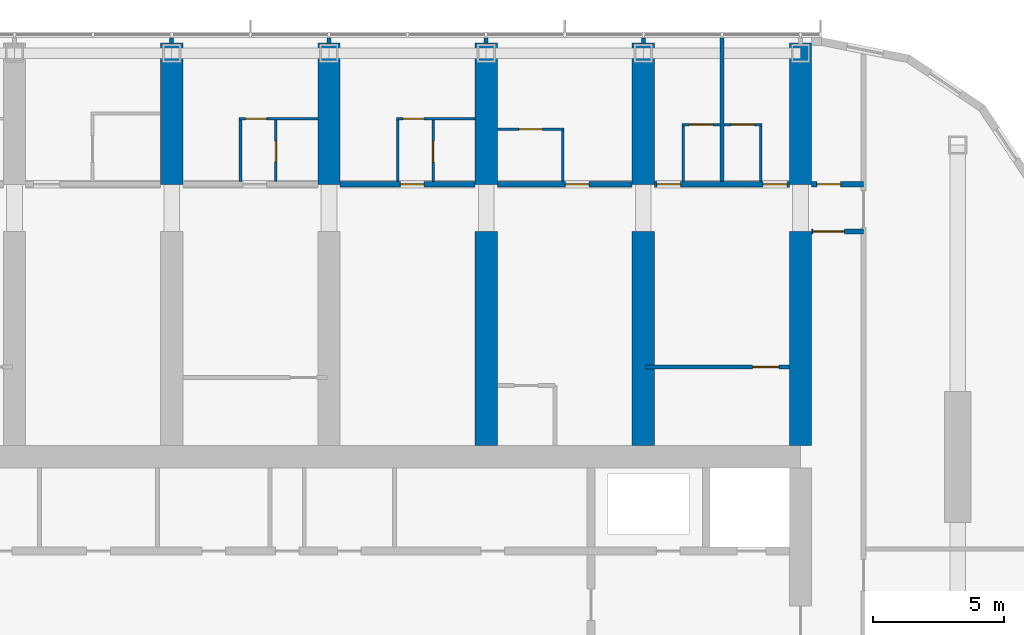
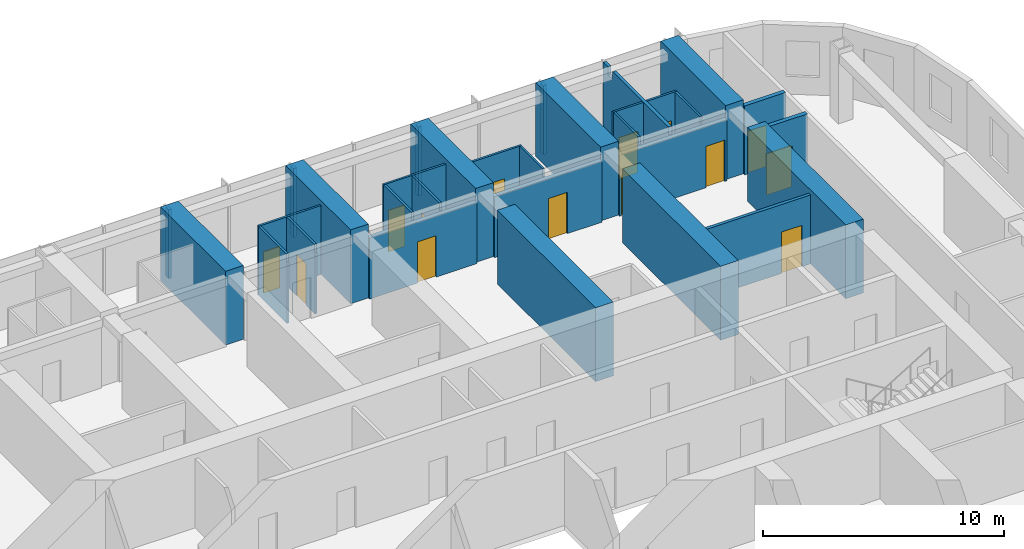
# One storey, part 16 of 22: 31 walls, 14 doors, 14 openings.
"""IFC4 building model written with IfcOpenShell, lengths in metres."""

from ifc_helpers import new_model, si_unit, direction, frame, frame_2d, origin, place, context, subcontext, project, spatial, polyline, rectangle, outline, extrude, material, layer, layer_set, type_object, element, fill, save


model = new_model("IFC4")

# Units and contexts
model_context = context("Model", 3, precision=1e-05, world=origin(), true_north=direction((0.0, 1.0)))
body_context = subcontext(model_context, "Body", "Model", "MODEL_VIEW")
ifc_project = project(units=[si_unit("LENGTHUNIT", "METRE"), si_unit("AREAUNIT", "SQUARE_METRE"), si_unit("VOLUMEUNIT", "CUBIC_METRE"), si_unit("PLANEANGLEUNIT", "RADIAN"), si_unit("MASSUNIT", "GRAM", prefix="KILO")], contexts=[model_context])

# Site, building, storey
site_placement = place(None, origin())
site = spatial("IfcSite", under=ifc_project, at=site_placement, CompositionType="ELEMENT")
building_placement = place(site_placement, origin())
building = spatial("IfcBuilding", under=site, at=building_placement, Name="Orbita Commons", CompositionType="ELEMENT")
storey_placement = place(building_placement, frame((0.0, 0.0, 156.10009765625)))
storey = spatial("IfcBuildingStorey", under=building, at=storey_placement, Name="L38", CompositionType="ELEMENT", Elevation=156.10009765625)

# Wall, opening, door
ifc_material_1 = material(Name="Concrete blockwork", Category="masonry")
ifc_layer_1 = layer(ifc_material_1, 0.199951171875)
ifc_layer_set_1 = layer_set([ifc_layer_1], Name="Concrete blockwork")
wall_type_1 = type_object("IfcWallType", Name="Corridor wall 200 blockwork", PredefinedType="SOLIDWALL", material=ifc_layer_set_1)
wall_1_placement = place(storey_placement, frame((48.425048828125, 48.60009765625, 0.0), z_axis=(0.0, 0.0, 1.0), x_axis=(1.0, 0.0, 0.0)))
wall_1 = element("IfcWall", 1, at=wall_1_placement, inside=storey, type_object=wall_type_1, Name="Corridor wall 200 blockwork L38", PredefinedType="SOLIDWALL", context=body_context, shape_type="SweptSolid", body=[
    extrude(outline(polyline([(0.0, 0.0), (5.14990234375, 0.0), (5.14990234375, 3.099853515625), (0.0, 3.099853515625), (0.0, 0.0)])), frame((0.0, 0.10009765625, 0.0), z_axis=(0.0, -1.0, 0.0), x_axis=(1.0, 0.0, 0.0)), (0.0, 0.0, 1.0), 0.199951171875),
])
opening_1_placement = place(wall_1_placement, frame((2.300048828125, 0.0, 0.0)))
opening_1 = element("IfcOpeningElement", 2, at=opening_1_placement, cuts=wall_1, Name="Opening D11", PredefinedType="OPENING", context=body_context, shape_type="SweptSolid", body=[
    extrude(rectangle(XDim=0.89990234375, YDim=2.10009765625, at=frame_2d((0.449951171875, 1.050048828125))), frame((0.0, 0.10986328125, 0.0), z_axis=(0.0, -1.0, 0.0), x_axis=(1.0, 0.0, 0.0)), (0.0, 0.0, 1.0), 0.219970703125),
])
ifc_material_2 = material(Name="Steel-faced fire door leaf", Category="steel")
door_type_1 = type_object("IfcDoorType", Name="Corridor door 20 min 900x2100", OperationType="SINGLE_SWING_LEFT", PredefinedType="DOOR", material=ifc_material_2)
door_1_placement = place(opening_1_placement, origin())
door_1 = element("IfcDoor", 3, at=door_1_placement, inside=storey, type_object=door_type_1, Name="Studio flat L38-N10 entrance door", OperationType="SINGLE_SWING_LEFT", OverallHeight=2.10009765625, OverallWidth=0.89990234375, PredefinedType="DOOR", context=body_context, shape_type="SweptSolid", body=[
    extrude(rectangle(XDim=0.89990234375, YDim=2.10009765625, at=frame_2d((0.449951171875, 1.050048828125))), frame((0.0, 0.02490234375, 0.0), z_axis=(0.0, -1.0, 0.0), x_axis=(1.0, 0.0, 0.0)), (0.0, 0.0, 1.0), 0.050048828125),
])
fill(opening_1, door_1)

wall_2_placement = place(storey_placement, frame((54.425048828125, 48.60009765625, 0.0), z_axis=(0.0, 0.0, 1.0), x_axis=(1.0, 0.0, 0.0)))
wall_2 = element("IfcWall", 4, at=wall_2_placement, inside=storey, type_object=wall_type_1, Name="Corridor wall 200 blockwork L38", PredefinedType="SOLIDWALL", context=body_context, shape_type="SweptSolid", body=[
    extrude(outline(polyline([(0.0, 0.0), (5.14990234375, 0.0), (5.14990234375, 3.099853515625), (0.0, 3.099853515625), (0.0, 0.0)])), frame((0.0, 0.10009765625, 0.0), z_axis=(0.0, -1.0, 0.0), x_axis=(1.0, 0.0, 0.0)), (0.0, 0.0, 1.0), 0.199951171875),
])
opening_2_placement = place(wall_2_placement, frame((2.60009765625, 0.0, 0.0)))
opening_2 = element("IfcOpeningElement", 5, at=opening_2_placement, cuts=wall_2, Name="Opening D11", PredefinedType="OPENING", context=body_context, shape_type="SweptSolid", body=[
    extrude(rectangle(XDim=0.89990234375, YDim=2.10009765625, at=frame_2d((0.449951171875, 1.050048828125))), frame((0.0, 0.10986328125, 0.0), z_axis=(0.0, -1.0, 0.0), x_axis=(1.0, 0.0, 0.0)), (0.0, 0.0, 1.0), 0.219970703125),
])
door_2_placement = place(opening_2_placement, origin())
door_2 = element("IfcDoor", 6, at=door_2_placement, inside=storey, type_object=door_type_1, Name="Twin room L38-N12 door", OperationType="SINGLE_SWING_LEFT", OverallHeight=2.10009765625, OverallWidth=0.89990234375, PredefinedType="DOOR", context=body_context, shape_type="SweptSolid", body=[
    extrude(rectangle(XDim=0.89990234375, YDim=2.10009765625, at=frame_2d((0.449951171875, 1.050048828125))), frame((0.0, 0.02490234375, 0.0), z_axis=(0.0, -1.0, 0.0), x_axis=(1.0, 0.0, 0.0)), (0.0, 0.0, 1.0), 0.050048828125),
])
fill(opening_2, door_2)

# Wall, openings, doors
wall_3_placement = place(storey_placement, frame((60.425048828125, 48.60009765625, 0.0), z_axis=(0.0, 0.0, 1.0), x_axis=(1.0, 0.0, 0.0)))
wall_3 = element("IfcWall", 7, at=wall_3_placement, inside=storey, type_object=wall_type_1, Name="Corridor wall 200 blockwork L38", PredefinedType="SOLIDWALL", context=body_context, shape_type="SweptSolid", body=[
    extrude(outline(polyline([(0.0, 0.0), (5.14990234375, 0.0), (5.14990234375, 3.099853515625), (0.0, 3.099853515625), (0.0, 0.0)])), frame((0.0, 0.10009765625, 0.0), z_axis=(0.0, -1.0, 0.0), x_axis=(1.0, 0.0, 0.0)), (0.0, 0.0, 1.0), 0.199951171875),
])
opening_3_placement = place(wall_3_placement, frame((0.10009765625, 0.0, 0.0)))
opening_3 = element("IfcOpeningElement", 8, at=opening_3_placement, cuts=wall_3, Name="Opening D11", PredefinedType="OPENING", context=body_context, shape_type="SweptSolid", body=[
    extrude(rectangle(XDim=0.89990234375, YDim=2.10009765625, at=frame_2d((0.449951171875, 1.050048828125))), frame((0.0, 0.10986328125, 0.0), z_axis=(0.0, -1.0, 0.0), x_axis=(1.0, 0.0, 0.0)), (0.0, 0.0, 1.0), 0.219970703125),
])
opening_4_placement = place(wall_3_placement, frame((4.14990234375, 0.0, 0.0)))
opening_4 = element("IfcOpeningElement", 9, at=opening_4_placement, cuts=wall_3, Name="Opening D11", PredefinedType="OPENING", context=body_context, shape_type="SweptSolid", body=[
    extrude(rectangle(XDim=0.89990234375, YDim=2.10009765625, at=frame_2d((0.449951171875, 1.050048828125))), frame((0.0, 0.10986328125, 0.0), z_axis=(0.0, -1.0, 0.0), x_axis=(1.0, 0.0, 0.0)), (0.0, 0.0, 1.0), 0.219970703125),
])
door_3_placement = place(opening_3_placement, origin())
door_3 = element("IfcDoor", 10, at=door_3_placement, inside=storey, type_object=door_type_1, Name="Cluster bedroom L38-N14 door", OperationType="SINGLE_SWING_LEFT", OverallHeight=2.10009765625, OverallWidth=0.89990234375, PredefinedType="DOOR", context=body_context, shape_type="SweptSolid", body=[
    extrude(rectangle(XDim=0.89990234375, YDim=2.10009765625, at=frame_2d((0.449951171875, 1.050048828125))), frame((0.0, 0.02490234375, 0.0), z_axis=(0.0, -1.0, 0.0), x_axis=(1.0, 0.0, 0.0)), (0.0, 0.0, 1.0), 0.050048828125),
])
fill(opening_3, door_3)
door_4_placement = place(opening_4_placement, origin())
door_4 = element("IfcDoor", 11, at=door_4_placement, inside=storey, type_object=door_type_1, Name="Cluster bedroom L38-N15 door", OperationType="SINGLE_SWING_LEFT", OverallHeight=2.10009765625, OverallWidth=0.89990234375, PredefinedType="DOOR", context=body_context, shape_type="SweptSolid", body=[
    extrude(rectangle(XDim=0.89990234375, YDim=2.10009765625, at=frame_2d((0.449951171875, 1.050048828125))), frame((0.0, 0.02490234375, 0.0), z_axis=(0.0, -1.0, 0.0), x_axis=(1.0, 0.0, 0.0)), (0.0, 0.0, 1.0), 0.050048828125),
])
fill(opening_4, door_4)

# Wall, opening, door
wall_4_placement = place(storey_placement, frame((66.425048828125, 48.60009765625, 0.0), z_axis=(0.0, 0.0, 1.0), x_axis=(1.0, 0.0, 0.0)))
wall_4 = element("IfcWall", 12, at=wall_4_placement, inside=storey, type_object=wall_type_1, Name="Corridor wall 200 blockwork L38", PredefinedType="SOLIDWALL", context=body_context, shape_type="SweptSolid", body=[
    extrude(rectangle(XDim=1.974853515625, YDim=0.199951171875, at=frame_2d((0.9873046875, 0.0))), origin(), (0.0, 0.0, 1.0), 3.5),
])
opening_5_placement = place(wall_4_placement, frame((0.199951171875, 0.0, 0.0)))
opening_5 = element("IfcOpeningElement", 13, at=opening_5_placement, cuts=wall_4, Name="Opening D05", PredefinedType="OPENING", context=body_context, shape_type="SweptSolid", body=[
    extrude(rectangle(XDim=0.89990234375, YDim=2.10009765625, at=frame_2d((0.449951171875, 1.050048828125))), frame((0.0, 0.10986328125, 0.0), z_axis=(0.0, -1.0, 0.0), x_axis=(1.0, 0.0, 0.0)), (0.0, 0.0, 1.0), 0.219970703125),
])
ifc_material_3 = material(Name="Steel-faced fire door leaf", Category="steel")
door_type_2 = type_object("IfcDoorType", Name="Service door 20 min 900x2100", OperationType="SINGLE_SWING_LEFT", PredefinedType="DOOR", material=ifc_material_3)
door_5_placement = place(opening_5_placement, origin())
door_5 = element("IfcDoor", 14, at=door_5_placement, inside=storey, type_object=door_type_2, Name="Linen store L38-KEN door", OperationType="SINGLE_SWING_LEFT", OverallHeight=2.10009765625, OverallWidth=0.89990234375, PredefinedType="DOOR", context=body_context, shape_type="SweptSolid", body=[
    extrude(rectangle(XDim=0.89990234375, YDim=2.10009765625, at=frame_2d((0.449951171875, 1.050048828125))), frame((0.0, 0.02490234375, 0.0), z_axis=(0.0, -1.0, 0.0), x_axis=(1.0, 0.0, 0.0)), (0.0, 0.0, 1.0), 0.050048828125),
])
fill(opening_5, door_5)

ifc_material_4 = material(Name="Hollow concrete block 200", Category="concrete")
ifc_layer_2 = layer(ifc_material_4, 0.199951171875)
ifc_layer_set_2 = layer_set([ifc_layer_2], Name="Hollow concrete block 200")
wall_type_2 = type_object("IfcWallType", Name="Corridor wall 200 hollow concrete block", PredefinedType="SOLIDWALL", material=ifc_layer_set_2)
wall_5_placement = place(storey_placement, frame((66.425048828125, 46.800048828125, 0.0), z_axis=(0.0, 0.0, 1.0), x_axis=(1.0, 0.0, 0.0)))
wall_5 = element("IfcWall", 15, at=wall_5_placement, inside=storey, type_object=wall_type_2, Name="Corridor wall 200 hollow concrete block L38", PredefinedType="SOLIDWALL", context=body_context, shape_type="SweptSolid", body=[
    extrude(rectangle(XDim=1.974853515625, YDim=0.199951171875, at=frame_2d((0.9873046875, 0.0))), origin(), (0.0, 0.0, 1.0), 3.5),
])
opening_6_placement = place(wall_5_placement, frame((0.050048828125, 0.0, 0.0)))
opening_6 = element("IfcOpeningElement", 16, at=opening_6_placement, cuts=wall_5, Name="Opening D12", PredefinedType="OPENING", context=body_context, shape_type="SweptSolid", body=[
    extrude(rectangle(XDim=1.199951171875, YDim=2.10009765625, at=frame_2d((0.60009765625, 1.050048828125))), frame((0.0, 0.10986328125, 0.0), z_axis=(0.0, -1.0, 0.0), x_axis=(1.0, 0.0, 0.0)), (0.0, 0.0, 1.0), 0.219970703125),
])
ifc_material_5 = material(Name="Steel-faced fire door leaf", Category="steel")
door_type_3 = type_object("IfcDoorType", Name="Double corridor door 20 min 1200x2100", OperationType="DOUBLE_DOOR_SINGLE_SWING", PredefinedType="DOOR", material=ifc_material_5)
door_6_placement = place(opening_6_placement, origin())
door_6 = element("IfcDoor", 17, at=door_6_placement, inside=storey, type_object=door_type_3, Name="Cross corridor doors", OperationType="DOUBLE_DOOR_SINGLE_SWING", OverallHeight=2.10009765625, OverallWidth=1.199951171875, PredefinedType="DOOR", context=body_context, shape_type="SweptSolid", body=[
    extrude(rectangle(XDim=1.199951171875, YDim=2.10009765625, at=frame_2d((0.60009765625, 1.050048828125))), frame((0.0, 0.02490234375, 0.0), z_axis=(0.0, -1.0, 0.0), x_axis=(1.0, 0.0, 0.0)), (0.0, 0.0, 1.0), 0.050048828125),
])
fill(opening_6, door_6)

# Walls
ifc_material_6 = material(Name="Concrete C50/60", Category="concrete")
ifc_layer_3 = layer(ifc_material_6, 0.85009765625)
ifc_layer_set_3 = layer_set([ifc_layer_3], Name="Concrete C50/60")
wall_type_3 = type_object("IfcWallType", Name="Cross wall 850 C50/60", PredefinedType="SHEAR", material=ifc_layer_set_3)
for number, where, z_axis, x_axis, name in (
    (18, (42.0, 48.60009765625, 0.0), (0.0, 0.0, 1.0), (0.0, 1.0, 0.0), "Cross wall 8 north outer L38"),
    (19, (48.0, 48.60009765625, 0.0), (0.0, 0.0, 1.0), (0.0, 1.0, 0.0), "Cross wall 9 north outer L38"),
    (20, (54.0, 48.60009765625, 0.0), (0.0, 0.0, 1.0), (0.0, 1.0, 0.0), "Cross wall 10 north outer L38"),
):
    element("IfcWall", number, at=place(storey_placement, frame(where, z_axis=z_axis, x_axis=x_axis)), inside=storey, type_object=wall_type_3, Name=name, PredefinedType="SHEAR", context=body_context, shape_type="SweptSolid", body=[
        extrude(rectangle(XDim=5.39990234375, YDim=0.85009765625, at=frame_2d((2.699951171875, 0.0))), origin(), (0.0, 0.0, 1.0), 3.75),
    ])
wall_6_placement = place(storey_placement, frame((54.0, 38.625, 0.0), z_axis=(0.0, 0.0, 1.0), x_axis=(0.0, 1.0, 0.0)))
element("IfcWall", 21, at=wall_6_placement, inside=storey, type_object=wall_type_3, Name="Cross wall 10 north inner L38", PredefinedType="SHEAR", context=body_context, shape_type="SweptSolid", body=[
    extrude(rectangle(XDim=8.175048828125, YDim=0.85009765625, at=frame_2d((4.08740234375, 0.0))), origin(), (0.0, 0.0, 1.0), 3.75),
])
wall_7_placement = place(storey_placement, frame((60.0, 48.60009765625, 0.0), z_axis=(0.0, 0.0, 1.0), x_axis=(0.0, 1.0, 0.0)))
element("IfcWall", 22, at=wall_7_placement, inside=storey, type_object=wall_type_3, Name="Cross wall 11 north outer L38", PredefinedType="SHEAR", context=body_context, shape_type="SweptSolid", body=[
    extrude(rectangle(XDim=5.39990234375, YDim=0.85009765625, at=frame_2d((2.699951171875, 0.0))), origin(), (0.0, 0.0, 1.0), 3.75),
])
wall_8_placement = place(storey_placement, frame((60.0, 38.625, 0.0), z_axis=(0.0, 0.0, 1.0), x_axis=(0.0, 1.0, 0.0)))
element("IfcWall", 23, at=wall_8_placement, inside=storey, type_object=wall_type_3, Name="Cross wall 11 north inner L38", PredefinedType="SHEAR", context=body_context, shape_type="SweptSolid", body=[
    extrude(rectangle(XDim=8.175048828125, YDim=0.85009765625, at=frame_2d((4.08740234375, 0.0))), origin(), (0.0, 0.0, 1.0), 3.75),
])
wall_9_placement = place(storey_placement, frame((66.0, 48.60009765625, 0.0), z_axis=(0.0, 0.0, 1.0), x_axis=(0.0, 1.0, 0.0)))
element("IfcWall", 24, at=wall_9_placement, inside=storey, type_object=wall_type_3, Name="Cross wall 12 north outer L38", PredefinedType="SHEAR", context=body_context, shape_type="SweptSolid", body=[
    extrude(rectangle(XDim=5.39990234375, YDim=0.85009765625, at=frame_2d((2.699951171875, 0.0))), origin(), (0.0, 0.0, 1.0), 3.75),
])
wall_10_placement = place(storey_placement, frame((66.0, 38.625, 0.0), z_axis=(0.0, 0.0, 1.0), x_axis=(0.0, 1.0, 0.0)))
element("IfcWall", 25, at=wall_10_placement, inside=storey, type_object=wall_type_3, Name="Cross wall 12 north inner L38", PredefinedType="SHEAR", context=body_context, shape_type="SweptSolid", body=[
    extrude(rectangle(XDim=8.175048828125, YDim=0.85009765625, at=frame_2d((4.08740234375, 0.0))), origin(), (0.0, 0.0, 1.0), 3.75),
])

# Wall, opening, door
ifc_material_7 = material(Name="Moisture-resistant plasterboard on steel studs", Category="steel")
ifc_layer_4 = layer(ifc_material_7, 0.10009765625)
ifc_layer_set_4 = layer_set([ifc_layer_4], Name="Moisture-resistant plasterboard on steel studs")
wall_type_4 = type_object("IfcWallType", Name="En-suite partition 100", PredefinedType="PARTITIONING", material=ifc_layer_set_4)
wall_11_placement = place(storey_placement, frame((44.574951171875, 51.10009765625, 0.0), z_axis=(0.0, 0.0, 1.0), x_axis=(1.0, 0.0, 0.0)))
wall_11 = element("IfcWall", 26, at=wall_11_placement, inside=storey, type_object=wall_type_4, Name="En-suite partition 100 L38", PredefinedType="PARTITIONING", context=body_context, shape_type="SweptSolid", body=[
    extrude(rectangle(XDim=3.0, YDim=0.10009765625, at=frame_2d((1.5, 0.0))), origin(), (0.0, 0.0, 1.0), 3.5),
])
opening_7_placement = place(wall_11_placement, frame((0.25, 0.0, 0.0)))
opening_7 = element("IfcOpeningElement", 27, at=opening_7_placement, cuts=wall_11, Name="Opening D16", PredefinedType="OPENING", context=body_context, shape_type="SweptSolid", body=[
    extrude(rectangle(XDim=0.800048828125, YDim=2.10009765625, at=frame_2d((0.39990234375, 1.050048828125))), frame((0.0, 0.06005859375, 0.0), z_axis=(0.0, -1.0, 0.0), x_axis=(1.0, 0.0, 0.0)), (0.0, 0.0, 1.0), 0.1201171875),
])
ifc_material_8 = material(Name="Laminated timber door leaf", Category="wood")
door_type_4 = type_object("IfcDoorType", Name="En-suite door 800x2100", OperationType="SINGLE_SWING_RIGHT", PredefinedType="DOOR", material=ifc_material_8)
door_7_placement = place(opening_7_placement, origin())
door_7 = element("IfcDoor", 28, at=door_7_placement, inside=storey, type_object=door_type_4, Name="Studio flat L38-N08 door", OperationType="SINGLE_SWING_RIGHT", OverallHeight=2.10009765625, OverallWidth=0.800048828125, PredefinedType="DOOR", context=body_context, shape_type="SweptSolid", body=[
    extrude(rectangle(XDim=0.800048828125, YDim=2.10009765625, at=frame_2d((0.39990234375, 1.050048828125))), frame((0.0, 0.02490234375, 0.0), z_axis=(0.0, -1.0, 0.0), x_axis=(1.0, 0.0, 0.0)), (0.0, 0.0, 1.0), 0.050048828125),
])
fill(opening_7, door_7)

# Wall
wall_12_placement = place(storey_placement, frame((44.625, 51.050048828125, 0.0), z_axis=(0.0, 0.0, 1.0), x_axis=(0.0, -1.0, 0.0)))
element("IfcWall", 29, at=wall_12_placement, inside=storey, type_object=wall_type_4, Name="En-suite partition 100 L38", PredefinedType="PARTITIONING", context=body_context, shape_type="SweptSolid", body=[
    extrude(outline(polyline([(0.0, 0.0), (2.35009765625, 0.0), (2.35009765625, 3.099853515625), (2.302001953125, 3.099853515625), (2.300048828125, 3.5), (0.0, 3.5), (0.0, 0.0)])), frame((0.0, 0.050048828125, 0.0), z_axis=(0.0, -1.0, 0.0), x_axis=(1.0, 0.0, 0.0)), (0.0, 0.0, 1.0), 0.10009765625),
])

# Wall, opening, door
wall_13_placement = place(storey_placement, frame((45.97509765625, 51.050048828125, 0.0), z_axis=(0.0, 0.0, 1.0), x_axis=(0.0, -1.0, 0.0)))
wall_13 = element("IfcWall", 30, at=wall_13_placement, inside=storey, type_object=wall_type_4, Name="En-suite partition 100 L38", PredefinedType="PARTITIONING", context=body_context, shape_type="SweptSolid", body=[
    extrude(outline(polyline([(0.0, 0.0), (2.35009765625, 0.0), (2.35009765625, 3.099853515625), (2.302001953125, 3.099853515625), (2.300048828125, 3.5), (0.0, 3.5), (0.0, 0.0)])), frame((0.0, 0.050048828125, 0.0), z_axis=(0.0, -1.0, 0.0), x_axis=(1.0, 0.0, 0.0)), (0.0, 0.0, 1.0), 0.10009765625),
])
opening_8_placement = place(wall_13_placement, frame((0.800048828125, 0.0, 0.0)))
opening_8 = element("IfcOpeningElement", 31, at=opening_8_placement, cuts=wall_13, Name="Opening D16", PredefinedType="OPENING", context=body_context, shape_type="SweptSolid", body=[
    extrude(rectangle(XDim=0.800048828125, YDim=2.10009765625, at=frame_2d((0.39990234375, 1.050048828125))), frame((0.0, 0.06005859375, 0.0), z_axis=(0.0, -1.0, 0.0), x_axis=(1.0, 0.0, 0.0)), (0.0, 0.0, 1.0), 0.1201171875),
])
door_8_placement = place(opening_8_placement, origin())
door_8 = element("IfcDoor", 32, at=door_8_placement, inside=storey, type_object=door_type_4, Name="Studio flat shower room L38-N08 door", OperationType="SINGLE_SWING_RIGHT", OverallHeight=2.10009765625, OverallWidth=0.800048828125, PredefinedType="DOOR", context=body_context, shape_type="SweptSolid", body=[
    extrude(rectangle(XDim=0.800048828125, YDim=2.10009765625, at=frame_2d((0.39990234375, 1.050048828125))), frame((0.0, 0.02490234375, 0.0), z_axis=(0.0, -1.0, 0.0), x_axis=(1.0, 0.0, 0.0)), (0.0, 0.0, 1.0), 0.050048828125),
])
fill(opening_8, door_8)

wall_14_placement = place(storey_placement, frame((50.574951171875, 51.10009765625, 0.0), z_axis=(0.0, 0.0, 1.0), x_axis=(1.0, 0.0, 0.0)))
wall_14 = element("IfcWall", 33, at=wall_14_placement, inside=storey, type_object=wall_type_4, Name="En-suite partition 100 L38", PredefinedType="PARTITIONING", context=body_context, shape_type="SweptSolid", body=[
    extrude(rectangle(XDim=3.0, YDim=0.10009765625, at=frame_2d((1.5, 0.0))), origin(), (0.0, 0.0, 1.0), 3.5),
])
opening_9_placement = place(wall_14_placement, frame((0.25, 0.0, 0.0)))
opening_9 = element("IfcOpeningElement", 34, at=opening_9_placement, cuts=wall_14, Name="Opening D16", PredefinedType="OPENING", context=body_context, shape_type="SweptSolid", body=[
    extrude(rectangle(XDim=0.800048828125, YDim=2.10009765625, at=frame_2d((0.39990234375, 1.050048828125))), frame((0.0, 0.06005859375, 0.0), z_axis=(0.0, -1.0, 0.0), x_axis=(1.0, 0.0, 0.0)), (0.0, 0.0, 1.0), 0.1201171875),
])
door_9_placement = place(opening_9_placement, origin())
door_9 = element("IfcDoor", 35, at=door_9_placement, inside=storey, type_object=door_type_4, Name="Studio flat L38-N10 door", OperationType="SINGLE_SWING_RIGHT", OverallHeight=2.10009765625, OverallWidth=0.800048828125, PredefinedType="DOOR", context=body_context, shape_type="SweptSolid", body=[
    extrude(rectangle(XDim=0.800048828125, YDim=2.10009765625, at=frame_2d((0.39990234375, 1.050048828125))), frame((0.0, 0.02490234375, 0.0), z_axis=(0.0, -1.0, 0.0), x_axis=(1.0, 0.0, 0.0)), (0.0, 0.0, 1.0), 0.050048828125),
])
fill(opening_9, door_9)

# Wall
wall_15_placement = place(storey_placement, frame((50.625, 51.050048828125, 0.0), z_axis=(0.0, 0.0, 1.0), x_axis=(0.0, -1.0, 0.0)))
element("IfcWall", 36, at=wall_15_placement, inside=storey, type_object=wall_type_4, Name="En-suite partition 100 L38", PredefinedType="PARTITIONING", context=body_context, shape_type="SweptSolid", body=[
    extrude(outline(polyline([(0.0, 0.0), (2.35009765625, 0.0), (2.35009765625, 3.099853515625), (2.302001953125, 3.099853515625), (2.300048828125, 3.5), (0.0, 3.5), (0.0, 0.0)])), frame((0.0, 0.050048828125, 0.0), z_axis=(0.0, -1.0, 0.0), x_axis=(1.0, 0.0, 0.0)), (0.0, 0.0, 1.0), 0.10009765625),
])

# Wall, opening, door
wall_16_placement = place(storey_placement, frame((51.97509765625, 51.050048828125, 0.0), z_axis=(0.0, 0.0, 1.0), x_axis=(0.0, -1.0, 0.0)))
wall_16 = element("IfcWall", 37, at=wall_16_placement, inside=storey, type_object=wall_type_4, Name="En-suite partition 100 L38", PredefinedType="PARTITIONING", context=body_context, shape_type="SweptSolid", body=[
    extrude(outline(polyline([(0.0, 0.0), (2.35009765625, 0.0), (2.35009765625, 3.099853515625), (2.302001953125, 3.099853515625), (2.300048828125, 3.5), (0.0, 3.5), (0.0, 0.0)])), frame((0.0, 0.050048828125, 0.0), z_axis=(0.0, -1.0, 0.0), x_axis=(1.0, 0.0, 0.0)), (0.0, 0.0, 1.0), 0.10009765625),
])
opening_10_placement = place(wall_16_placement, frame((0.800048828125, 0.0, 0.0)))
opening_10 = element("IfcOpeningElement", 38, at=opening_10_placement, cuts=wall_16, Name="Opening D16", PredefinedType="OPENING", context=body_context, shape_type="SweptSolid", body=[
    extrude(rectangle(XDim=0.800048828125, YDim=2.10009765625, at=frame_2d((0.39990234375, 1.050048828125))), frame((0.0, 0.06005859375, 0.0), z_axis=(0.0, -1.0, 0.0), x_axis=(1.0, 0.0, 0.0)), (0.0, 0.0, 1.0), 0.1201171875),
])
door_10_placement = place(opening_10_placement, origin())
door_10 = element("IfcDoor", 39, at=door_10_placement, inside=storey, type_object=door_type_4, Name="Studio flat shower room L38-N10 door", OperationType="SINGLE_SWING_RIGHT", OverallHeight=2.10009765625, OverallWidth=0.800048828125, PredefinedType="DOOR", context=body_context, shape_type="SweptSolid", body=[
    extrude(rectangle(XDim=0.800048828125, YDim=2.10009765625, at=frame_2d((0.39990234375, 1.050048828125))), frame((0.0, 0.02490234375, 0.0), z_axis=(0.0, -1.0, 0.0), x_axis=(1.0, 0.0, 0.0)), (0.0, 0.0, 1.0), 0.050048828125),
])
fill(opening_10, door_10)

wall_17_placement = place(storey_placement, frame((54.425048828125, 50.699951171875, 0.0), z_axis=(0.0, 0.0, 1.0), x_axis=(1.0, 0.0, 0.0)))
wall_17 = element("IfcWall", 40, at=wall_17_placement, inside=storey, type_object=wall_type_4, Name="En-suite partition 100 L38", PredefinedType="PARTITIONING", context=body_context, shape_type="SweptSolid", body=[
    extrude(rectangle(XDim=2.550048828125, YDim=0.10009765625, at=frame_2d((1.27490234375, 0.0))), origin(), (0.0, 0.0, 1.0), 3.5),
])
opening_11_placement = place(wall_17_placement, frame((0.824951171875, 0.0, 0.0)))
opening_11 = element("IfcOpeningElement", 41, at=opening_11_placement, cuts=wall_17, Name="Opening D09", PredefinedType="OPENING", context=body_context, shape_type="SweptSolid", body=[
    extrude(rectangle(XDim=0.89990234375, YDim=2.10009765625, at=frame_2d((0.449951171875, 1.050048828125))), frame((0.0, 0.06005859375, 0.0), z_axis=(0.0, -1.0, 0.0), x_axis=(1.0, 0.0, 0.0)), (0.0, 0.0, 1.0), 0.1201171875),
])
ifc_material_9 = material(Name="Laminated timber door leaf", Category="wood")
door_type_5 = type_object("IfcDoorType", Name="En-suite door 900x2100", OperationType="SINGLE_SWING_RIGHT", PredefinedType="DOOR", material=ifc_material_9)
door_11_placement = place(opening_11_placement, origin())
door_11 = element("IfcDoor", 42, at=door_11_placement, inside=storey, type_object=door_type_5, Name="En-suite L38-N12 door", OperationType="SINGLE_SWING_RIGHT", OverallHeight=2.10009765625, OverallWidth=0.89990234375, PredefinedType="DOOR", context=body_context, shape_type="SweptSolid", body=[
    extrude(rectangle(XDim=0.89990234375, YDim=2.10009765625, at=frame_2d((0.449951171875, 1.050048828125))), frame((0.0, 0.02490234375, 0.0), z_axis=(0.0, -1.0, 0.0), x_axis=(1.0, 0.0, 0.0)), (0.0, 0.0, 1.0), 0.050048828125),
])
fill(opening_11, door_11)

# Wall
wall_18_placement = place(storey_placement, frame((56.925048828125, 50.64990234375, 0.0), z_axis=(0.0, 0.0, 1.0), x_axis=(0.0, -1.0, 0.0)))
element("IfcWall", 43, at=wall_18_placement, inside=storey, type_object=wall_type_4, Name="En-suite partition 100 L38", PredefinedType="PARTITIONING", context=body_context, shape_type="SweptSolid", body=[
    extrude(outline(polyline([(0.0, 0.0), (1.949951171875, 0.0), (1.949951171875, 3.099853515625), (1.902099609375, 3.099853515625), (1.89990234375, 3.5), (0.0, 3.5), (0.0, 0.0)])), frame((0.0, 0.050048828125, 0.0), z_axis=(0.0, -1.0, 0.0), x_axis=(1.0, 0.0, 0.0)), (0.0, 0.0, 1.0), 0.10009765625),
])

# Wall, opening, door
wall_19_placement = place(storey_placement, frame((61.47509765625, 50.878662109375, 0.0), z_axis=(0.0, 0.0, 1.0), x_axis=(1.0, 0.0, 0.0)))
wall_19 = element("IfcWall", 44, at=wall_19_placement, inside=storey, type_object=wall_type_4, Name="En-suite partition 100 L38", PredefinedType="PARTITIONING", context=body_context, shape_type="SweptSolid", body=[
    extrude(rectangle(XDim=1.449951171875, YDim=0.10009765625, at=frame_2d((0.72509765625, 0.0))), origin(), (0.0, 0.0, 1.0), 3.5),
])
opening_12_placement = place(wall_19_placement, frame((0.27490234375, 0.0, 0.0)))
opening_12 = element("IfcOpeningElement", 45, at=opening_12_placement, cuts=wall_19, Name="Opening D09", PredefinedType="OPENING", context=body_context, shape_type="SweptSolid", body=[
    extrude(rectangle(XDim=0.89990234375, YDim=2.10009765625, at=frame_2d((0.449951171875, 1.050048828125))), frame((0.0, 0.06005859375, 0.0), z_axis=(0.0, -1.0, 0.0), x_axis=(1.0, 0.0, 0.0)), (0.0, 0.0, 1.0), 0.1201171875),
])
door_12_placement = place(opening_12_placement, origin())
door_12 = element("IfcDoor", 46, at=door_12_placement, inside=storey, type_object=door_type_5, Name="En-suite L38-N14 door", OperationType="SINGLE_SWING_RIGHT", OverallHeight=2.10009765625, OverallWidth=0.89990234375, PredefinedType="DOOR", context=body_context, shape_type="SweptSolid", body=[
    extrude(rectangle(XDim=0.89990234375, YDim=2.10009765625, at=frame_2d((0.449951171875, 1.050048828125))), frame((0.0, 0.02490234375, 0.0), z_axis=(0.0, -1.0, 0.0), x_axis=(1.0, 0.0, 0.0)), (0.0, 0.0, 1.0), 0.050048828125),
])
fill(opening_12, door_12)

# Wall
wall_20_placement = place(storey_placement, frame((61.52490234375, 50.82861328125, 0.0), z_axis=(0.0, 0.0, 1.0), x_axis=(0.0, -1.0, 0.0)))
element("IfcWall", 47, at=wall_20_placement, inside=storey, type_object=wall_type_4, Name="En-suite partition 100 L38", PredefinedType="PARTITIONING", context=body_context, shape_type="SweptSolid", body=[
    extrude(outline(polyline([(0.0, 0.0), (2.128662109375, 0.0), (2.128662109375, 3.099853515625), (2.08056640625, 3.099853515625), (2.07861328125, 3.5), (0.0, 3.5), (0.0, 0.0)])), frame((0.0, 0.050048828125, 0.0), z_axis=(0.0, -1.0, 0.0), x_axis=(1.0, 0.0, 0.0)), (0.0, 0.0, 1.0), 0.10009765625),
])

# Wall, opening, door
wall_21_placement = place(storey_placement, frame((63.074951171875, 50.878662109375, 0.0), z_axis=(0.0, 0.0, 1.0), x_axis=(1.0, 0.0, 0.0)))
wall_21 = element("IfcWall", 48, at=wall_21_placement, inside=storey, type_object=wall_type_4, Name="En-suite partition 100 L38", PredefinedType="PARTITIONING", context=body_context, shape_type="SweptSolid", body=[
    extrude(rectangle(XDim=1.449951171875, YDim=0.10009765625, at=frame_2d((0.72509765625, 0.0))), origin(), (0.0, 0.0, 1.0), 3.5),
])
opening_13_placement = place(wall_21_placement, frame((0.27490234375, 0.0, 0.0)))
opening_13 = element("IfcOpeningElement", 49, at=opening_13_placement, cuts=wall_21, Name="Opening D09", PredefinedType="OPENING", context=body_context, shape_type="SweptSolid", body=[
    extrude(rectangle(XDim=0.89990234375, YDim=2.10009765625, at=frame_2d((0.449951171875, 1.050048828125))), frame((0.0, 0.06005859375, 0.0), z_axis=(0.0, -1.0, 0.0), x_axis=(1.0, 0.0, 0.0)), (0.0, 0.0, 1.0), 0.1201171875),
])
door_13_placement = place(opening_13_placement, origin())
door_13 = element("IfcDoor", 50, at=door_13_placement, inside=storey, type_object=door_type_5, Name="En-suite L38-N15 door", OperationType="SINGLE_SWING_RIGHT", OverallHeight=2.10009765625, OverallWidth=0.89990234375, PredefinedType="DOOR", context=body_context, shape_type="SweptSolid", body=[
    extrude(rectangle(XDim=0.89990234375, YDim=2.10009765625, at=frame_2d((0.449951171875, 1.050048828125))), frame((0.0, 0.02490234375, 0.0), z_axis=(0.0, -1.0, 0.0), x_axis=(1.0, 0.0, 0.0)), (0.0, 0.0, 1.0), 0.050048828125),
])
fill(opening_13, door_13)

# Wall
wall_22_placement = place(storey_placement, frame((64.47509765625, 50.82861328125, 0.0), z_axis=(0.0, 0.0, 1.0), x_axis=(0.0, -1.0, 0.0)))
element("IfcWall", 51, at=wall_22_placement, inside=storey, type_object=wall_type_4, Name="En-suite partition 100 L38", PredefinedType="PARTITIONING", context=body_context, shape_type="SweptSolid", body=[
    extrude(outline(polyline([(0.0, 0.0), (2.128662109375, 0.0), (2.128662109375, 3.099853515625), (2.08056640625, 3.099853515625), (2.07861328125, 3.5), (0.0, 3.5), (0.0, 0.0)])), frame((0.0, 0.050048828125, 0.0), z_axis=(0.0, -1.0, 0.0), x_axis=(1.0, 0.0, 0.0)), (0.0, 0.0, 1.0), 0.10009765625),
])

# Wall, opening, door
ifc_material_10 = material(Name="Gypsum plasterboard on steel studs", Category="steel")
ifc_layer_5 = layer(ifc_material_10, 0.14990234375)
ifc_layer_set_5 = layer_set([ifc_layer_5], Name="Gypsum plasterboard on steel studs")
wall_type_5 = type_object("IfcWallType", Name="Partition 150 plasterboard", PredefinedType="PARTITIONING", material=ifc_layer_set_5)
wall_23_placement = place(storey_placement, frame((65.574951171875, 41.625, 0.0), z_axis=(0.0, 0.0, 1.0), x_axis=(-1.0, 0.0, 0.0)))
wall_23 = element("IfcWall", 52, at=wall_23_placement, inside=storey, type_object=wall_type_5, Name="Partition 150 plasterboard L38", PredefinedType="PARTITIONING", context=body_context, shape_type="SweptSolid", body=[
    extrude(rectangle(XDim=5.5, YDim=0.14990234375, at=frame_2d((2.75, 0.0))), origin(), (0.0, 0.0, 1.0), 3.5),
])
opening_14_placement = place(wall_23_placement, frame((0.39990234375, 0.0, 0.0)))
opening_14 = element("IfcOpeningElement", 53, at=opening_14_placement, cuts=wall_23, Name="Opening D18", PredefinedType="OPENING", context=body_context, shape_type="SweptSolid", body=[
    extrude(rectangle(XDim=1.0, YDim=2.10009765625, at=frame_2d((0.5, 1.050048828125))), frame((0.0, 0.0849609375, 0.0), z_axis=(0.0, -1.0, 0.0), x_axis=(1.0, 0.0, 0.0)), (0.0, 0.0, 1.0), 0.169921875),
])
ifc_material_11 = material(Name="Steel-faced fire door leaf", Category="steel")
door_type_6 = type_object("IfcDoorType", Name="Service door 20 min 1000x2100", OperationType="SINGLE_SWING_LEFT", PredefinedType="DOOR", material=ifc_material_11)
door_14_placement = place(opening_14_placement, origin())
door_14 = element("IfcDoor", 54, at=door_14_placement, inside=storey, type_object=door_type_6, Name="Bulk and luggage store L38-BDN60 door", OperationType="SINGLE_SWING_LEFT", OverallHeight=2.10009765625, OverallWidth=1.0, PredefinedType="DOOR", context=body_context, shape_type="SweptSolid", body=[
    extrude(rectangle(XDim=1.0, YDim=2.10009765625, at=frame_2d((0.5, 1.050048828125))), frame((0.0, 0.02490234375, 0.0), z_axis=(0.0, -1.0, 0.0), x_axis=(1.0, 0.0, 0.0)), (0.0, 0.0, 1.0), 0.050048828125),
])
fill(opening_14, door_14)

# Walls
for number, where, z_axis, x_axis, name in (
    (55, (42.0, 53.949951171875, 0.0), (0.0, 0.0, 1.0), (0.0, 1.0, 0.0), "Partition 150 plasterboard L38"),
    (56, (48.0, 53.949951171875, 0.0), (0.0, 0.0, 1.0), (0.0, 1.0, 0.0), "Partition 150 plasterboard L38"),
    (57, (54.0, 53.949951171875, 0.0), (0.0, 0.0, 1.0), (0.0, 1.0, 0.0), "Partition 150 plasterboard L38"),
    (58, (60.0, 53.949951171875, 0.0), (0.0, 0.0, 1.0), (0.0, 1.0, 0.0), "Partition 150 plasterboard L38"),
):
    element("IfcWall", number, at=place(storey_placement, frame(where, z_axis=z_axis, x_axis=x_axis)), inside=storey, type_object=wall_type_5, Name=name, PredefinedType="PARTITIONING", context=body_context, shape_type="SweptSolid", body=[
        extrude(rectangle(XDim=0.239990234375, YDim=0.14990234375, at=frame_2d((0.1201171875, 0.0))), origin(), (0.0, 0.0, 1.0), 3.5),
    ])
ifc_material_12 = material(Name="Gypsum plasterboard on steel studs", Category="steel")
ifc_layer_6 = layer(ifc_material_12, 0.14990234375)
ifc_layer_set_6 = layer_set([ifc_layer_6], Name="Gypsum plasterboard on steel studs")
wall_type_6 = type_object("IfcWallType", Name="Party wall 150 plasterboard", PredefinedType="PARTITIONING", material=ifc_layer_set_6)
wall_24_placement = place(storey_placement, frame((63.0, 54.18994140625, 0.0), z_axis=(0.0, 0.0, 1.0), x_axis=(0.0, -1.0, 0.0)))
element("IfcWall", 59, at=wall_24_placement, inside=storey, type_object=wall_type_6, Name="Party wall 150 plasterboard L38", PredefinedType="PARTITIONING", context=body_context, shape_type="SweptSolid", body=[
    extrude(outline(polyline([(0.0, 0.0), (5.489990234375, 0.0), (5.489990234375, 3.099853515625), (5.44189453125, 3.099853515625), (5.43994140625, 3.5), (0.7919921875, 3.5), (0.7900390625, 3.099853515625), (0.39208984375, 3.099853515625), (0.389892578125, 3.5), (0.0, 3.5), (0.0, 0.0)])), frame((0.0, 0.074951171875, 0.0), z_axis=(0.0, -1.0, 0.0), x_axis=(1.0, 0.0, 0.0)), (0.0, 0.0, 1.0), 0.14990234375),
])

save(model, "model.ifc")
